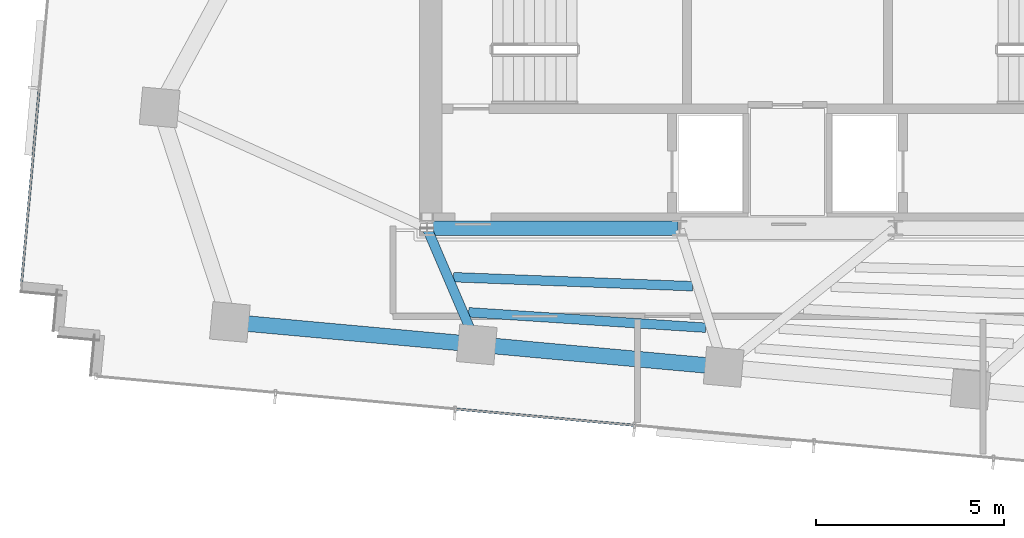
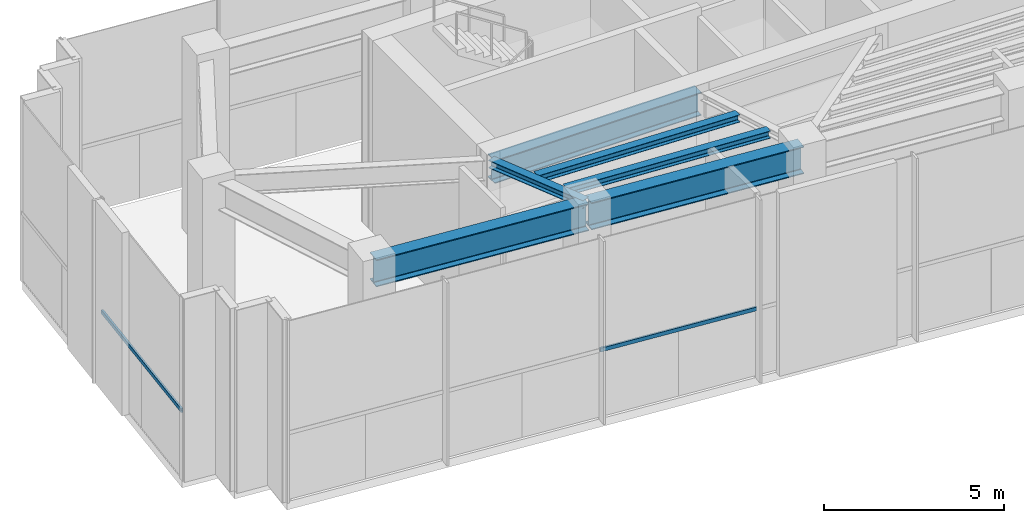
# One storey, part 3 of 18: 6 beams, 2 members, 2 elements without a shape of their own.
"""IFC4 building model written with IfcOpenShell, lengths in metres."""

from ifc_helpers import new_model, si_unit, direction, frame, origin, origin_2d, place, context, subcontext, project, spatial, hollow_rectangle, i_section, extrude, source, transform, mapped, material, material_profile, profile_set, type_object, type_shapes, element, aggregate, save


model = new_model("IFC4")

# Units and contexts
model_context = context("Model", 3, precision=1e-05, world=origin(), true_north=direction((0.0, 1.0)))
body_context = subcontext(model_context, "Body", "Model", "MODEL_VIEW")
ifc_project = project(units=[si_unit("LENGTHUNIT", "METRE"), si_unit("AREAUNIT", "SQUARE_METRE"), si_unit("VOLUMEUNIT", "CUBIC_METRE"), si_unit("PLANEANGLEUNIT", "RADIAN"), si_unit("MASSUNIT", "GRAM", prefix="KILO")], contexts=[model_context])

# Site, building, storey
site_placement = place(None, origin())
site = spatial("IfcSite", under=ifc_project, at=site_placement, CompositionType="ELEMENT")
building_placement = place(site_placement, origin())
building = spatial("IfcBuilding", under=site, at=building_placement, Name="Astriad Promenade Condominiums", CompositionType="ELEMENT")
storey_placement = place(building_placement, frame((0.0, 0.0, 277.300048828125)))
storey = spatial("IfcBuildingStorey", under=building, at=storey_placement, Name="L78", CompositionType="ELEMENT", Elevation=277.300048828125)

# Beams
ifc_material_1 = material(Name="Steel ASTM A992 Grade 50", Category="steel")
ifc_material_profile_1 = material_profile(ifc_material_1, i_section(OverallWidth=0.3837890625, OverallDepth=0.785888671875, WebThickness=0.019775390625, FlangeThickness=0.033447265625, FilletRadius=0.021484375, at=origin_2d()), Name="W30X211")
ifc_profile_set_1 = profile_set([ifc_material_profile_1], Name="Steel ASTM A992 Grade 50")
beam_type_1 = type_object("IfcBeamType", Name="STEEL FLOOR GIRDER W30X211", PredefinedType="BEAM", material=ifc_profile_set_1)
shared_shape_1 = source(origin(), body_context, "Body", "SweptSolid", [
    extrude(i_section(OverallWidth=0.3837890625, OverallDepth=0.785888671875, WebThickness=0.019775390625, FlangeThickness=0.033447265625, FilletRadius=0.021484375, at=origin_2d()), origin(), (0.0, 0.0, 1.0), 6.64013671875),
])
type_shapes(beam_type_1, [shared_shape_1])
beam_1_placement = place(storey_placement, frame((26.43994140625, 17.39990234375, 5.826904296875), z_axis=(1.0, 0.0, 0.0), x_axis=(0.0, 1.0, 0.0)))
element("IfcBeam", 1, at=beam_1_placement, inside=storey, type_object=beam_type_1, Name="Core Ring Beam CG-S1-L78", PredefinedType="BEAM", context=body_context, shape_type="MappedRepresentation", body=[
    mapped(shared_shape_1, transform((0.0, 0.0, 0.0), scale=1.0)),
])
ifc_material_profile_2 = material_profile(ifc_material_1, i_section(OverallWidth=0.25732421875, OverallDepth=0.26416015625, WebThickness=0.011962890625, FlangeThickness=0.01953125, FilletRadius=0.0126953125, at=origin_2d()), Name="W10X68")
ifc_profile_set_2 = profile_set([ifc_material_profile_2], Name="Steel ASTM A992 Grade 50")
beam_type_2 = type_object("IfcBeamType", Name="STEEL CANOPY BEAM W10X68", PredefinedType="BEAM", material=ifc_profile_set_2)
shared_shape_2 = source(origin(), body_context, "Body", "SweptSolid", [
    extrude(i_section(OverallWidth=0.25732421875, OverallDepth=0.26416015625, WebThickness=0.011962890625, FlangeThickness=0.01953125, FilletRadius=0.0126953125, at=origin_2d()), origin(), (0.0, 0.0, 1.0), 3.291259765625),
])
type_shapes(beam_type_2, [shared_shape_2])
beam_2_placement = place(storey_placement, frame((27.711181640625, 14.337646484375, 6.087890625), z_axis=(-0.39358803023, 0.919286931518, 0.0), x_axis=(-0.919286931518, -0.39358803023, 0.0)))
element("IfcBeam", 2, at=beam_2_placement, inside=storey, type_object=beam_type_2, Name="Primary Floor Girder PG-W2-L78", PredefinedType="BEAM", context=body_context, shape_type="MappedRepresentation", body=[
    mapped(shared_shape_2, transform((0.0, 0.0, 0.0), scale=1.0)),
])
ifc_material_profile_3 = material_profile(ifc_material_1, i_section(OverallWidth=0.418212890625, OverallDepth=0.926513671875, WebThickness=0.019287109375, FlangeThickness=0.031982421875, FilletRadius=0.024169921875, at=origin_2d()), Name="W36X231")
ifc_profile_set_3 = profile_set([ifc_material_profile_3], Name="Steel ASTM A992 Grade 50")
beam_type_3 = type_object("IfcBeamType", Name="STEEL CROWN RING BEAM W36X231", PredefinedType="BEAM", material=ifc_profile_set_3)
shared_shape_3 = source(origin(), body_context, "Body", "SweptSolid", [
    extrude(i_section(OverallWidth=0.418212890625, OverallDepth=0.926513671875, WebThickness=0.019287109375, FlangeThickness=0.031982421875, FilletRadius=0.024169921875, at=origin_2d()), origin(), (0.0, 0.0, 1.0), 6.52001953125),
])
beam_3_placement = place(storey_placement, frame((21.19384765625, 14.8955078125, 5.756591796875), z_axis=(0.995882457091, -0.090653911438, 0.0), x_axis=(0.090653911438, 0.995882457091, 0.0)))
element("IfcBeam", 3, at=beam_3_placement, inside=storey, type_object=beam_type_3, Name="Perimeter Spandrel Beam SP-S1-L78", PredefinedType="BEAM", context=body_context, shape_type="MappedRepresentation", body=[
    mapped(shared_shape_3, transform((0.0, 0.0, 0.0), scale=1.0)),
])
shared_shape_4 = source(origin(), body_context, "Body", "SweptSolid", [
    extrude(i_section(OverallWidth=0.418212890625, OverallDepth=0.926513671875, WebThickness=0.019287109375, FlangeThickness=0.031982421875, FilletRadius=0.024169921875, at=origin_2d()), origin(), (0.0, 0.0, 1.0), 6.520263671875),
])
type_shapes(beam_type_3, [shared_shape_3, shared_shape_4])
beam_4_placement = place(storey_placement, frame((27.7666015625, 14.29736328125, 5.756591796875), z_axis=(0.9958827648, -0.090650531022, 0.0), x_axis=(0.090650531022, 0.9958827648, 0.0)))
element("IfcBeam", 4, at=beam_4_placement, inside=storey, type_object=beam_type_3, Name="Perimeter Spandrel Beam SP-S2-L78", PredefinedType="BEAM", context=body_context, shape_type="MappedRepresentation", body=[
    mapped(shared_shape_4, transform((0.0, 0.0, 0.0), scale=1.0)),
])
ifc_material_profile_4 = material_profile(ifc_material_1, i_section(OverallWidth=0.25390625, OverallDepth=0.25390625, WebThickness=0.008544921875, FlangeThickness=0.01416015625, FilletRadius=0.0126953125, at=origin_2d()), Name="W10X49")
ifc_profile_set_4 = profile_set([ifc_material_profile_4], Name="Steel ASTM A992 Grade 50")
beam_type_4 = type_object("IfcBeamType", Name="STEEL TRIMMER JOIST W10X49", PredefinedType="JOIST", material=ifc_profile_set_4)
shared_shape_5 = source(origin(), body_context, "Body", "SweptSolid", [
    extrude(i_section(OverallWidth=0.25390625, OverallDepth=0.25390625, WebThickness=0.008544921875, FlangeThickness=0.01416015625, FilletRadius=0.0126953125, at=origin_2d()), origin(), (0.0, 0.0, 1.0), 6.32568359375),
])
beam_5_placement = place(storey_placement, frame((27.50927734375, 15.15869140625, 6.093017578125), z_axis=(0.997885605656, -0.064994753816, 0.0), x_axis=(0.064994753816, 0.997885605656, 0.0)))
element("IfcBeam", 5, at=beam_5_placement, inside=storey, type_object=beam_type_4, Name="Secondary Composite Floor Joist JCW-2-L78", PredefinedType="JOIST", context=body_context, shape_type="MappedRepresentation", body=[
    mapped(shared_shape_5, transform((0.0, 0.0, 0.0), scale=1.0)),
])
shared_shape_6 = source(origin(), body_context, "Body", "SweptSolid", [
    extrude(i_section(OverallWidth=0.25390625, OverallDepth=0.25390625, WebThickness=0.008544921875, FlangeThickness=0.01416015625, FilletRadius=0.0126953125, at=origin_2d()), origin(), (0.0, 0.0, 1.0), 6.36376953125),
])
type_shapes(beam_type_4, [shared_shape_5, shared_shape_6])
beam_6_placement = place(storey_placement, frame((27.109619140625, 16.092529296875, 6.093017578125), z_axis=(0.999290071043, -0.037674313731, 0.0), x_axis=(0.037674313731, 0.999290071043, 0.0)))
element("IfcBeam", 6, at=beam_6_placement, inside=storey, type_object=beam_type_4, Name="Secondary Composite Floor Joist JCW-4-L78", PredefinedType="JOIST", context=body_context, shape_type="MappedRepresentation", body=[
    mapped(shared_shape_6, transform((0.0, 0.0, 0.0), scale=1.0)),
])

# Curtain wall, member
ifc_material_2 = material(Name="Anodised aluminium Black Dark Glass Unitised", Category="aluminium")
curtain_wall_type = type_object("IfcCurtainWallType", Name="CW-TMD-LANTERN", PredefinedType="USERDEFINED", material=ifc_material_2)
curtain_wall_1_placement = place(storey_placement, origin())
curtain_wall_1 = element("IfcCurtainWall", 7, at=curtain_wall_1_placement, inside=storey, type_object=curtain_wall_type, Name="CW-CRN-L78-03", ObjectType="UNITISED_CURTAIN_WALL", PredefinedType="USERDEFINED")
ifc_material_3 = material(Name="Anodised aluminium 6063-T6 Black", Category="aluminium")
ifc_material_profile_5 = material_profile(ifc_material_3, hollow_rectangle(XDim=0.06494140625, YDim=0.1298828125, WallThickness=0.00390625, at=origin_2d()), Name="ALU-TRN-65X130")
ifc_profile_set_5 = profile_set([ifc_material_profile_5], Name="Anodised aluminium 6063-T6 Black")
member_type = type_object("IfcMemberType", Name="TRN-ALU-TRN-65X130", PredefinedType="USERDEFINED", material=ifc_profile_set_5)
shared_shape_7 = source(origin(), body_context, "Body", "SweptSolid", [
    extrude(hollow_rectangle(XDim=0.06494140625, YDim=0.1298828125, WallThickness=0.00390625, at=origin_2d()), origin(), (0.0, 0.0, 1.0), 5.300048828125),
])
member_1_placement = place(storey_placement, frame((15.597900390625, 15.84375, 2.349853515625), z_axis=(0.090606350912, 0.99588678532, 0.0), x_axis=(-0.99588678532, 0.090606350912, 0.0)))
member_1 = element("IfcMember", 8, at=member_1_placement, type_object=member_type, Name="CW-CRN-L78-03-TRN-00-0", ObjectType="TRANSOM", PredefinedType="USERDEFINED", context=body_context, shape_type="MappedRepresentation", body=[
    mapped(shared_shape_7, transform((0.0, 0.0, 0.0), scale=1.0)),
])
aggregate(curtain_wall_1, [member_1])

curtain_wall_2_placement = place(storey_placement, origin())
curtain_wall_2 = element("IfcCurtainWall", 9, at=curtain_wall_2_placement, inside=storey, type_object=curtain_wall_type, Name="CW-CRN-L78-18", ObjectType="UNITISED_CURTAIN_WALL", PredefinedType="USERDEFINED")
shared_shape_8 = source(origin(), body_context, "Body", "SweptSolid", [
    extrude(hollow_rectangle(XDim=0.06494140625, YDim=0.1298828125, WallThickness=0.00390625, at=origin_2d()), origin(), (0.0, 0.0, 1.0), 4.800048828125),
])
type_shapes(member_type, [shared_shape_7, shared_shape_8])
member_2_placement = place(storey_placement, frame((31.93017578125, 12.1484375, 2.349853515625), z_axis=(-0.995884029465, 0.09063663639, 0.0), x_axis=(-0.09063663639, -0.995884029465, 0.0)))
member_2 = element("IfcMember", 10, at=member_2_placement, type_object=member_type, Name="CW-CRN-L78-18-TRN-04-0", ObjectType="TRANSOM", PredefinedType="USERDEFINED", context=body_context, shape_type="MappedRepresentation", body=[
    mapped(shared_shape_8, transform((0.0, 0.0, 0.0), scale=1.0)),
])
aggregate(curtain_wall_2, [member_2])

save(model, "model.ifc")
